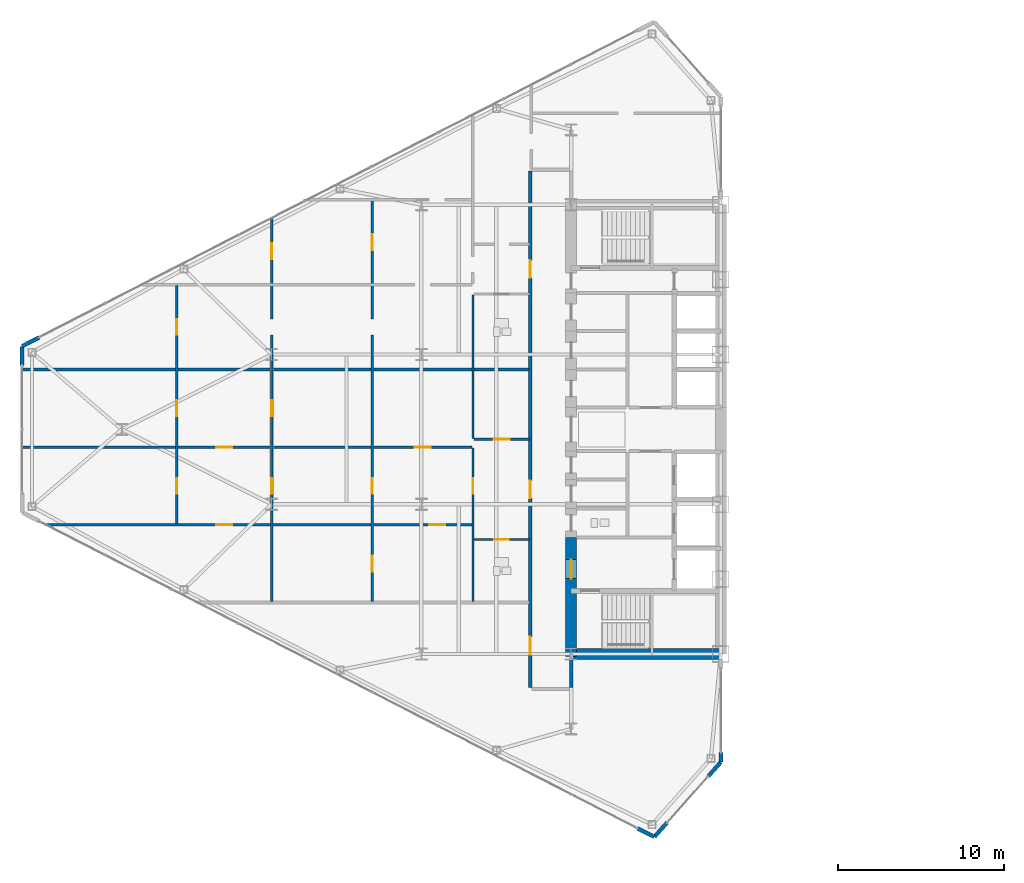
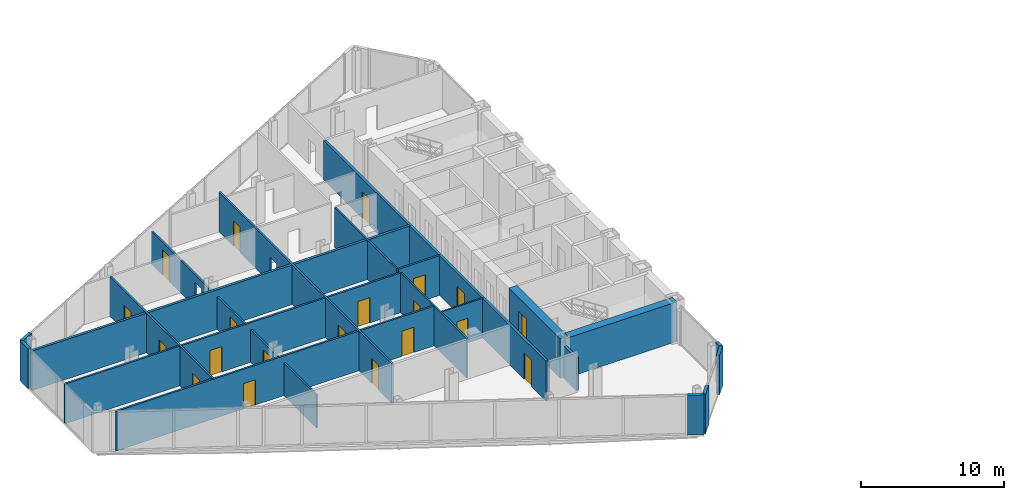
# One storey, part 16 of 24: 20 doors, 20 walls, 22 openings.
"""IFC4 building model written with IfcOpenShell, lengths in metres."""

from ifc_helpers import new_model, si_unit, direction, frame, frame_2d, origin, place, context, subcontext, project, spatial, rectangle, extrude, source, transform, mapped, material, layer, layer_set, type_object, type_shapes, element, fill, save


model = new_model("IFC4")

# Units and contexts
model_context = context("Model", 3, precision=1e-05, world=origin(), true_north=direction((0.0, 1.0)))
body_context = subcontext(model_context, "Body", "Model", "MODEL_VIEW")
ifc_project = project(units=[si_unit("LENGTHUNIT", "METRE"), si_unit("AREAUNIT", "SQUARE_METRE"), si_unit("VOLUMEUNIT", "CUBIC_METRE"), si_unit("PLANEANGLEUNIT", "RADIAN"), si_unit("MASSUNIT", "GRAM", prefix="KILO")], contexts=[model_context])

# Site, building, storey
site_placement = place(None, origin())
site = spatial("IfcSite", under=ifc_project, at=site_placement, CompositionType="ELEMENT")
building_placement = place(site_placement, origin())
building = spatial("IfcBuilding", under=site, at=building_placement, Name="Seokmaru Belvedere", CompositionType="ELEMENT")
storey_placement = place(building_placement, frame((0.0, 0.0, 124.800048828125)))
storey = spatial("IfcBuildingStorey", under=building, at=storey_placement, Name="L33", CompositionType="ELEMENT", Elevation=124.800048828125)

# Wall, openings, doors
ifc_material_1 = material(Name="Fire-Rated Gypsum Shaftwall")
ifc_layer_1 = layer(ifc_material_1, 0.14990234375)
ifc_layer_set_1 = layer_set([ifc_layer_1], Name="Fire-Rated Gypsum Shaftwall")
wall_type_1 = type_object("IfcWallType", Name="Apartment Fire-Acoustic Room Partition 150", PredefinedType="PARTITIONING", material=ifc_layer_set_1)
wall_1_placement = place(storey_placement, frame((-68.10595703125, -5.72998046875, 0.0), z_axis=(0.0, 0.0, 1.0), x_axis=(1.0, 0.0, 0.0)))
wall_1 = element("IfcWall", 1, at=wall_1_placement, inside=storey, type_object=wall_type_1, Name="L33 Interior Partition 010", PredefinedType="PARTITIONING", context=body_context, shape_type="SweptSolid", body=[
    extrude(rectangle(XDim=25.656005859375, YDim=0.14990234375, at=frame_2d((12.828125, 0.0))), origin(), (0.0, 0.0, 1.0), 3.3798828125),
])
opening_1_placement = place(wall_1_placement, frame((23.079345703125, 0.0, 0.0)))
opening_1 = element("IfcOpeningElement", 2, at=opening_1_placement, cuts=wall_1, Name="Opening D05", PredefinedType="OPENING", context=body_context, shape_type="SweptSolid", body=[
    extrude(rectangle(XDim=0.949951171875, YDim=2.14990234375, at=frame_2d((0.47509765625, 1.074951171875))), frame((0.0, 0.0849609375, 0.0), z_axis=(0.0, -1.0, 0.0), x_axis=(1.0, 0.0, 0.0)), (0.0, 0.0, 1.0), 0.169921875),
])
opening_2_placement = place(wall_1_placement, frame((10.281005859375, 0.0, 0.0)))
opening_2 = element("IfcOpeningElement", 3, at=opening_2_placement, cuts=wall_1, Name="Opening D05", PredefinedType="OPENING", context=body_context, shape_type="SweptSolid", body=[
    extrude(rectangle(XDim=0.949951171875, YDim=2.14990234375, at=frame_2d((0.47509765625, 1.074951171875))), frame((0.0, 0.0849609375, 0.0), z_axis=(0.0, -1.0, 0.0), x_axis=(1.0, 0.0, 0.0)), (0.0, 0.0, 1.0), 0.169921875),
])
ifc_material_2 = material(Name="Engineered White Oak Timber", Category="wood")
door_type_1 = type_object("IfcDoorType", Name="Apartment Interior Fire-Rated Oak Door 950x2150", OperationType="NOTDEFINED", PredefinedType="DOOR", material=ifc_material_2)
shared_shape_1 = source(origin(), body_context, "Body", "SweptSolid", [
    extrude(rectangle(XDim=0.949951171875, YDim=2.14990234375, at=frame_2d((0.47509765625, 1.074951171875))), frame((0.0, 0.02490234375, 0.0), z_axis=(0.0, -1.0, 0.0), x_axis=(1.0, 0.0, 0.0)), (0.0, 0.0, 1.0), 0.050048828125),
])
type_shapes(door_type_1, [shared_shape_1])
door_1_placement = place(opening_1_placement, origin())
door_1 = element("IfcDoor", 4, at=door_1_placement, inside=storey, type_object=door_type_1, Name="L33 Interior Door 006", OperationType="SINGLE_SWING_RIGHT", OverallHeight=2.14990234375, OverallWidth=0.949951171875, PredefinedType="DOOR", context=body_context, shape_type="MappedRepresentation", body=[
    mapped(shared_shape_1, transform((0.0, 0.0, 0.0), scale=1.0)),
])
fill(opening_1, door_1)
door_2_placement = place(opening_2_placement, origin())
door_2 = element("IfcDoor", 5, at=door_2_placement, inside=storey, type_object=door_type_1, Name="L33 Interior Door 010", OperationType="SINGLE_SWING_LEFT", OverallHeight=2.14990234375, OverallWidth=0.949951171875, PredefinedType="DOOR", context=body_context, shape_type="MappedRepresentation", body=[
    mapped(shared_shape_1, transform((0.0, 0.0, 0.0), scale=1.0)),
])
fill(opening_2, door_2)

wall_2_placement = place(storey_placement, frame((-69.534912109375, -1.070068359375, 0.0), z_axis=(0.0, 0.0, 1.0), x_axis=(1.0, 0.0, 0.0)))
wall_2 = element("IfcWall", 6, at=wall_2_placement, inside=storey, type_object=wall_type_1, Name="L33 Interior Partition 012", PredefinedType="PARTITIONING", context=body_context, shape_type="SweptSolid", body=[
    extrude(rectangle(XDim=27.0849609375, YDim=0.14990234375, at=frame_2d((13.54248046875, 0.0))), origin(), (0.0, 0.0, 1.0), 3.3798828125),
])
opening_3_placement = place(wall_2_placement, frame((23.635009765625, 0.0, 0.0)))
opening_3 = element("IfcOpeningElement", 7, at=opening_3_placement, cuts=wall_2, Name="Opening D05", PredefinedType="OPENING", context=body_context, shape_type="SweptSolid", body=[
    extrude(rectangle(XDim=0.949951171875, YDim=2.14990234375, at=frame_2d((0.47509765625, 1.074951171875))), frame((0.0, 0.0849609375, 0.0), z_axis=(0.0, -1.0, 0.0), x_axis=(1.0, 0.0, 0.0)), (0.0, 0.0, 1.0), 0.169921875),
])
opening_4_placement = place(wall_2_placement, frame((11.7099609375, 0.0, 0.0)))
opening_4 = element("IfcOpeningElement", 8, at=opening_4_placement, cuts=wall_2, Name="Opening D05", PredefinedType="OPENING", context=body_context, shape_type="SweptSolid", body=[
    extrude(rectangle(XDim=0.949951171875, YDim=2.14990234375, at=frame_2d((0.47509765625, 1.074951171875))), frame((0.0, 0.0849609375, 0.0), z_axis=(0.0, -1.0, 0.0), x_axis=(1.0, 0.0, 0.0)), (0.0, 0.0, 1.0), 0.169921875),
])
door_3_placement = place(opening_3_placement, origin())
door_3 = element("IfcDoor", 9, at=door_3_placement, inside=storey, type_object=door_type_1, Name="L33 Interior Door 008", OperationType="SINGLE_SWING_LEFT", OverallHeight=2.14990234375, OverallWidth=0.949951171875, PredefinedType="DOOR", context=body_context, shape_type="MappedRepresentation", body=[
    mapped(shared_shape_1, transform((0.0, 0.0, 0.0), scale=1.0)),
])
fill(opening_3, door_3)
door_4_placement = place(opening_4_placement, origin())
door_4 = element("IfcDoor", 10, at=door_4_placement, inside=storey, type_object=door_type_1, Name="L33 Interior Door 012", OperationType="SINGLE_SWING_LEFT", OverallHeight=2.14990234375, OverallWidth=0.949951171875, PredefinedType="DOOR", context=body_context, shape_type="MappedRepresentation", body=[
    mapped(shared_shape_1, transform((0.0, 0.0, 0.0), scale=1.0)),
])
fill(opening_4, door_4)

# Wall, opening, door
wall_3_placement = place(storey_placement, frame((-42.35009765625, -0.60009765625, 0.0), z_axis=(0.0, 0.0, 1.0), x_axis=(1.0, 0.0, 0.0)))
wall_3 = element("IfcWall", 11, at=wall_3_placement, inside=storey, type_object=wall_type_1, Name="L33 Interior Partition 013", PredefinedType="PARTITIONING", context=body_context, shape_type="SweptSolid", body=[
    extrude(rectangle(XDim=3.35009765625, YDim=0.14990234375, at=frame_2d((1.675048828125, 0.0))), origin(), (0.0, 0.0, 1.0), 3.3798828125),
])
opening_5_placement = place(wall_3_placement, frame((1.199951171875, 0.0, 0.0)))
opening_5 = element("IfcOpeningElement", 12, at=opening_5_placement, cuts=wall_3, Name="Opening D05", PredefinedType="OPENING", context=body_context, shape_type="SweptSolid", body=[
    extrude(rectangle(XDim=0.949951171875, YDim=2.14990234375, at=frame_2d((0.47509765625, 1.074951171875))), frame((0.0, 0.0849609375, 0.0), z_axis=(0.0, -1.0, 0.0), x_axis=(1.0, 0.0, 0.0)), (0.0, 0.0, 1.0), 0.169921875),
])
door_5_placement = place(opening_5_placement, origin())
door_5 = element("IfcDoor", 13, at=door_5_placement, inside=storey, type_object=door_type_1, Name="L33 Interior Door 004", OperationType="SINGLE_SWING_LEFT", OverallHeight=2.14990234375, OverallWidth=0.949951171875, PredefinedType="DOOR", context=body_context, shape_type="MappedRepresentation", body=[
    mapped(shared_shape_1, transform((0.0, 0.0, 0.0), scale=1.0)),
])
fill(opening_5, door_5)

# Wall, openings, doors
wall_4_placement = place(storey_placement, frame((-60.199951171875, -5.68310546875, 0.0), z_axis=(0.0, 0.0, 1.0), x_axis=(0.0, 1.0, 0.0)))
wall_4 = element("IfcWall", 14, at=wall_4_placement, inside=storey, type_object=wall_type_1, Name="L33 Interior Partition 027", PredefinedType="PARTITIONING", context=body_context, shape_type="SweptSolid", body=[
    extrude(rectangle(XDim=14.335205078125, YDim=0.14990234375, at=frame_2d((7.16748046875, 0.0))), origin(), (0.0, 0.0, 1.0), 3.3798828125),
])
opening_6_placement = place(wall_4_placement, frame((1.80810546875, 0.0, 0.0)))
opening_6 = element("IfcOpeningElement", 15, at=opening_6_placement, cuts=wall_4, Name="Opening D05", PredefinedType="OPENING", context=body_context, shape_type="SweptSolid", body=[
    extrude(rectangle(XDim=0.949951171875, YDim=2.14990234375, at=frame_2d((0.47509765625, 1.074951171875))), frame((0.0, 0.0849609375, 0.0), z_axis=(0.0, -1.0, 0.0), x_axis=(1.0, 0.0, 0.0)), (0.0, 0.0, 1.0), 0.169921875),
])
opening_7_placement = place(wall_4_placement, frame((6.474609375, 0.0, 0.0)))
opening_7 = element("IfcOpeningElement", 16, at=opening_7_placement, cuts=wall_4, Name="Opening D05", PredefinedType="OPENING", context=body_context, shape_type="SweptSolid", body=[
    extrude(rectangle(XDim=0.949951171875, YDim=2.14990234375, at=frame_2d((0.47509765625, 1.074951171875))), frame((0.0, 0.0849609375, 0.0), z_axis=(0.0, -1.0, 0.0), x_axis=(1.0, 0.0, 0.0)), (0.0, 0.0, 1.0), 0.169921875),
])
opening_8_placement = place(wall_4_placement, frame((11.359130859375, 0.0, 0.0)))
opening_8 = element("IfcOpeningElement", 17, at=opening_8_placement, cuts=wall_4, Name="Opening D05", PredefinedType="OPENING", context=body_context, shape_type="SweptSolid", body=[
    extrude(rectangle(XDim=0.949951171875, YDim=2.14990234375, at=frame_2d((0.47509765625, 1.074951171875))), frame((0.0, 0.0849609375, 0.0), z_axis=(0.0, -1.0, 0.0), x_axis=(1.0, 0.0, 0.0)), (0.0, 0.0, 1.0), 0.169921875),
])
door_6_placement = place(opening_6_placement, origin())
door_6 = element("IfcDoor", 18, at=door_6_placement, inside=storey, type_object=door_type_1, Name="L33 Interior Door 011", OperationType="SINGLE_SWING_RIGHT", OverallHeight=2.14990234375, OverallWidth=0.949951171875, PredefinedType="DOOR", context=body_context, shape_type="MappedRepresentation", body=[
    mapped(shared_shape_1, transform((0.0, 0.0, 0.0), scale=1.0)),
])
fill(opening_6, door_6)
door_7_placement = place(opening_7_placement, origin())
door_7 = element("IfcDoor", 19, at=door_7_placement, inside=storey, type_object=door_type_1, Name="L33 Interior Door 013", OperationType="SINGLE_SWING_RIGHT", OverallHeight=2.14990234375, OverallWidth=0.949951171875, PredefinedType="DOOR", context=body_context, shape_type="MappedRepresentation", body=[
    mapped(shared_shape_1, transform((0.0, 0.0, 0.0), scale=1.0)),
])
fill(opening_7, door_7)
door_8_placement = place(opening_8_placement, origin())
door_8 = element("IfcDoor", 20, at=door_8_placement, inside=storey, type_object=door_type_1, Name="L33 Interior Door 026", OperationType="SINGLE_SWING_RIGHT", OverallHeight=2.14990234375, OverallWidth=0.949951171875, PredefinedType="DOOR", context=body_context, shape_type="MappedRepresentation", body=[
    mapped(shared_shape_1, transform((0.0, 0.0, 0.0), scale=1.0)),
])
fill(opening_8, door_8)

wall_5_placement = place(storey_placement, frame((-54.5, -10.35009765625, 0.0), z_axis=(0.0, 0.0, 1.0), x_axis=(0.0, 1.0, 0.0)))
wall_5 = element("IfcWall", 21, at=wall_5_placement, inside=storey, type_object=wall_type_1, Name="L33 Interior Partition 028", PredefinedType="PARTITIONING", context=body_context, shape_type="SweptSolid", body=[
    extrude(rectangle(XDim=23.08203125, YDim=0.14990234375, at=frame_2d((11.541015625, 0.0))), origin(), (0.0, 0.0, 1.0), 2.780029296875),
])
opening_9_placement = place(wall_5_placement, frame((6.47509765625, 0.0, 0.0)))
opening_9 = element("IfcOpeningElement", 22, at=opening_9_placement, cuts=wall_5, Name="Opening D05", PredefinedType="OPENING", context=body_context, shape_type="SweptSolid", body=[
    extrude(rectangle(XDim=0.949951171875, YDim=2.14990234375, at=frame_2d((0.47509765625, 1.074951171875))), frame((0.0, 0.0849609375, 0.0), z_axis=(0.0, -1.0, 0.0), x_axis=(1.0, 0.0, 0.0)), (0.0, 0.0, 1.0), 0.169921875),
])
opening_10_placement = place(wall_5_placement, frame((11.1416015625, 0.0, 0.0)))
opening_10 = element("IfcOpeningElement", 23, at=opening_10_placement, cuts=wall_5, Name="Opening D05", PredefinedType="OPENING", context=body_context, shape_type="SweptSolid", body=[
    extrude(rectangle(XDim=0.949951171875, YDim=2.14990234375, at=frame_2d((0.47509765625, 1.074951171875))), frame((0.0, 0.0849609375, 0.0), z_axis=(0.0, -1.0, 0.0), x_axis=(1.0, 0.0, 0.0)), (0.0, 0.0, 1.0), 0.169921875),
])
opening_11_placement = place(wall_5_placement, frame((20.57470703125, 0.0, 0.0)))
opening_11 = element("IfcOpeningElement", 24, at=opening_11_placement, cuts=wall_5, Name="Opening D05", PredefinedType="OPENING", context=body_context, shape_type="SweptSolid", body=[
    extrude(rectangle(XDim=0.949951171875, YDim=2.14990234375, at=frame_2d((0.47509765625, 1.074951171875))), frame((0.0, 0.0849609375, 0.0), z_axis=(0.0, -1.0, 0.0), x_axis=(1.0, 0.0, 0.0)), (0.0, 0.0, 1.0), 0.169921875),
])
opening_12_placement = place(wall_5_placement, frame((16.026123046875, 0.0, 0.0)))
element("IfcOpeningElement", 25, at=opening_12_placement, cuts=wall_5, Name="L33 Cased Opening 025", PredefinedType="OPENING", context=body_context, shape_type="SweptSolid", body=[
    extrude(rectangle(XDim=0.949951171875, YDim=2.14990234375, at=frame_2d((0.47509765625, 1.074951171875))), frame((0.0, 0.0849609375, 0.0), z_axis=(0.0, -1.0, 0.0), x_axis=(1.0, 0.0, 0.0)), (0.0, 0.0, 1.0), 0.169921875),
])
door_9_placement = place(opening_9_placement, origin())
door_9 = element("IfcDoor", 26, at=door_9_placement, inside=storey, type_object=door_type_1, Name="L33 Interior Door 009", OperationType="SINGLE_SWING_RIGHT", OverallHeight=2.14990234375, OverallWidth=0.949951171875, PredefinedType="DOOR", context=body_context, shape_type="MappedRepresentation", body=[
    mapped(shared_shape_1, transform((0.0, 0.0, 0.0), scale=1.0)),
])
fill(opening_9, door_9)
door_10_placement = place(opening_10_placement, origin())
door_10 = element("IfcDoor", 27, at=door_10_placement, inside=storey, type_object=door_type_1, Name="L33 Interior Door 015", OperationType="SINGLE_SWING_LEFT", OverallHeight=2.14990234375, OverallWidth=0.949951171875, PredefinedType="DOOR", context=body_context, shape_type="MappedRepresentation", body=[
    mapped(shared_shape_1, transform((0.0, 0.0, 0.0), scale=1.0)),
])
fill(opening_10, door_10)
door_11_placement = place(opening_11_placement, origin())
door_11 = element("IfcDoor", 28, at=door_11_placement, inside=storey, type_object=door_type_1, Name="L33 Interior Door 023", OperationType="SINGLE_SWING_RIGHT", OverallHeight=2.14990234375, OverallWidth=0.949951171875, PredefinedType="DOOR", context=body_context, shape_type="MappedRepresentation", body=[
    mapped(shared_shape_1, transform((0.0, 0.0, 0.0), scale=1.0)),
])
fill(opening_11, door_11)

wall_6_placement = place(storey_placement, frame((-48.449951171875, -10.35009765625, 0.0), z_axis=(0.0, 0.0, 1.0), x_axis=(0.0, 1.0, 0.0)))
wall_6 = element("IfcWall", 29, at=wall_6_placement, inside=storey, type_object=wall_type_1, Name="L33 Interior Partition 029", PredefinedType="PARTITIONING", context=body_context, shape_type="SweptSolid", body=[
    extrude(rectangle(XDim=24.10400390625, YDim=0.14990234375, at=frame_2d((12.052001953125, 0.0))), origin(), (0.0, 0.0, 1.0), 3.3798828125),
])
opening_13_placement = place(wall_6_placement, frame((6.47509765625, 0.0, 0.0)))
opening_13 = element("IfcOpeningElement", 30, at=opening_13_placement, cuts=wall_6, Name="Opening D05", PredefinedType="OPENING", context=body_context, shape_type="SweptSolid", body=[
    extrude(rectangle(XDim=0.949951171875, YDim=2.14990234375, at=frame_2d((0.47509765625, 1.074951171875))), frame((0.0, 0.0849609375, 0.0), z_axis=(0.0, -1.0, 0.0), x_axis=(1.0, 0.0, 0.0)), (0.0, 0.0, 1.0), 0.169921875),
])
opening_14_placement = place(wall_6_placement, frame((1.808349609375, 0.0, 0.0)))
opening_14 = element("IfcOpeningElement", 31, at=opening_14_placement, cuts=wall_6, Name="Opening D05", PredefinedType="OPENING", context=body_context, shape_type="SweptSolid", body=[
    extrude(rectangle(XDim=0.949951171875, YDim=2.14990234375, at=frame_2d((0.47509765625, 1.074951171875))), frame((0.0, 0.0849609375, 0.0), z_axis=(0.0, -1.0, 0.0), x_axis=(1.0, 0.0, 0.0)), (0.0, 0.0, 1.0), 0.169921875),
])
opening_15_placement = place(wall_6_placement, frame((21.12841796875, 0.0, 0.0)))
opening_15 = element("IfcOpeningElement", 32, at=opening_15_placement, cuts=wall_6, Name="Opening D05", PredefinedType="OPENING", context=body_context, shape_type="SweptSolid", body=[
    extrude(rectangle(XDim=0.949951171875, YDim=2.14990234375, at=frame_2d((0.47509765625, 1.074951171875))), frame((0.0, 0.0849609375, 0.0), z_axis=(0.0, -1.0, 0.0), x_axis=(1.0, 0.0, 0.0)), (0.0, 0.0, 1.0), 0.169921875),
])
opening_16_placement = place(wall_6_placement, frame((16.026123046875, 0.0, 0.0)))
element("IfcOpeningElement", 33, at=opening_16_placement, cuts=wall_6, Name="L33 Cased Opening 024", PredefinedType="OPENING", context=body_context, shape_type="SweptSolid", body=[
    extrude(rectangle(XDim=0.949951171875, YDim=2.14990234375, at=frame_2d((0.47509765625, 1.074951171875))), frame((0.0, 0.0849609375, 0.0), z_axis=(0.0, -1.0, 0.0), x_axis=(1.0, 0.0, 0.0)), (0.0, 0.0, 1.0), 0.169921875),
])
door_12_placement = place(opening_13_placement, origin())
door_12 = element("IfcDoor", 34, at=door_12_placement, inside=storey, type_object=door_type_1, Name="L33 Interior Door 007", OperationType="SINGLE_SWING_LEFT", OverallHeight=2.14990234375, OverallWidth=0.949951171875, PredefinedType="DOOR", context=body_context, shape_type="MappedRepresentation", body=[
    mapped(shared_shape_1, transform((0.0, 0.0, 0.0), scale=1.0)),
])
fill(opening_13, door_12)
door_13_placement = place(opening_14_placement, origin())
door_13 = element("IfcDoor", 35, at=door_13_placement, inside=storey, type_object=door_type_1, Name="L33 Interior Door 014", OperationType="SINGLE_SWING_RIGHT", OverallHeight=2.14990234375, OverallWidth=0.949951171875, PredefinedType="DOOR", context=body_context, shape_type="MappedRepresentation", body=[
    mapped(shared_shape_1, transform((0.0, 0.0, 0.0), scale=1.0)),
])
fill(opening_14, door_13)
door_14_placement = place(opening_15_placement, origin())
door_14 = element("IfcDoor", 36, at=door_14_placement, inside=storey, type_object=door_type_1, Name="L33 Interior Door 021", OperationType="SINGLE_SWING_LEFT", OverallHeight=2.14990234375, OverallWidth=0.949951171875, PredefinedType="DOOR", context=body_context, shape_type="MappedRepresentation", body=[
    mapped(shared_shape_1, transform((0.0, 0.0, 0.0), scale=1.0)),
])
fill(opening_15, door_14)

# Wall
ifc_layer_2 = layer(ifc_material_1, 0.199951171875)
ifc_layer_set_2 = layer_set([ifc_layer_2], Name="Fire-Rated Gypsum Shaftwall")
wall_type_2 = type_object("IfcWallType", Name="Inter-Tenancy Fire Compartment Partition 200", PredefinedType="PARTITIONING", material=ifc_layer_set_2)
wall_7_placement = place(storey_placement, frame((-69.5048828125, 3.60009765625, 0.0), z_axis=(0.0, 0.0, 1.0), x_axis=(1.0, 0.0, 0.0)))
element("IfcWall", 37, at=wall_7_placement, inside=storey, type_object=wall_type_2, Name="L33 Interior Partition 016", PredefinedType="PARTITIONING", context=body_context, shape_type="SweptSolid", body=[
    extrude(rectangle(XDim=30.474853515625, YDim=0.199951171875, at=frame_2d((15.2373046875, 0.0))), origin(), (0.0, 0.0, 1.0), 3.3798828125),
])

# Wall, openings, doors
wall_8_placement = place(storey_placement, frame((-38.949951171875, -15.514892578125, 0.0), z_axis=(0.0, 0.0, 1.0), x_axis=(0.0, 1.0, 0.0)))
wall_8 = element("IfcWall", 38, at=wall_8_placement, inside=storey, type_object=wall_type_2, Name="L33 Interior Partition 033", PredefinedType="PARTITIONING", context=body_context, shape_type="SweptSolid", body=[
    extrude(rectangle(XDim=31.02978515625, YDim=0.199951171875, at=frame_2d((15.514892578125, 0.0))), origin(), (0.0, 0.0, 1.0), 3.3798828125),
])
opening_17_placement = place(wall_8_placement, frame((1.989990234375, 0.0, 0.0)))
opening_17 = element("IfcOpeningElement", 39, at=opening_17_placement, cuts=wall_8, Name="Opening D03", PredefinedType="OPENING", context=body_context, shape_type="SweptSolid", body=[
    extrude(rectangle(XDim=1.050048828125, YDim=2.25, at=frame_2d((0.52490234375, 1.125))), frame((0.0, 0.10986328125, 0.0), z_axis=(0.0, -1.0, 0.0), x_axis=(1.0, 0.0, 0.0)), (0.0, 0.0, 1.0), 0.219970703125),
])
opening_18_placement = place(wall_8_placement, frame((11.3798828125, 0.0, 0.0)))
opening_18 = element("IfcOpeningElement", 40, at=opening_18_placement, cuts=wall_8, Name="Opening D03", PredefinedType="OPENING", context=body_context, shape_type="SweptSolid", body=[
    extrude(rectangle(XDim=1.050048828125, YDim=2.25, at=frame_2d((0.52490234375, 1.125))), frame((0.0, 0.10986328125, 0.0), z_axis=(0.0, -1.0, 0.0), x_axis=(1.0, 0.0, 0.0)), (0.0, 0.0, 1.0), 0.219970703125),
])
opening_19_placement = place(wall_8_placement, frame((24.617431640625, 0.0, 0.0)))
opening_19 = element("IfcOpeningElement", 41, at=opening_19_placement, cuts=wall_8, Name="Opening D03", PredefinedType="OPENING", context=body_context, shape_type="SweptSolid", body=[
    extrude(rectangle(XDim=1.050048828125, YDim=2.25, at=frame_2d((0.52490234375, 1.125))), frame((0.0, 0.10986328125, 0.0), z_axis=(0.0, -1.0, 0.0), x_axis=(1.0, 0.0, 0.0)), (0.0, 0.0, 1.0), 0.219970703125),
])
ifc_material_3 = material(Name="Fire-Rated Steel Leaf", Category="steel")
door_type_2 = type_object("IfcDoorType", Name="Apartment Entrance Fire Door 1050x2250", OperationType="NOTDEFINED", PredefinedType="DOOR", material=ifc_material_3)
shared_shape_2 = source(origin(), body_context, "Body", "SweptSolid", [
    extrude(rectangle(XDim=1.050048828125, YDim=2.25, at=frame_2d((0.52490234375, 1.125))), frame((0.0, 0.02490234375, 0.0), z_axis=(0.0, -1.0, 0.0), x_axis=(1.0, 0.0, 0.0)), (0.0, 0.0, 1.0), 0.050048828125),
])
type_shapes(door_type_2, [shared_shape_2])
door_15_placement = place(opening_17_placement, origin())
door_15 = element("IfcDoor", 42, at=door_15_placement, inside=storey, type_object=door_type_2, Name="L33 Interior Door 001", OperationType="SINGLE_SWING_RIGHT", OverallHeight=2.25, OverallWidth=1.050048828125, PredefinedType="DOOR", context=body_context, shape_type="MappedRepresentation", body=[
    mapped(shared_shape_2, transform((0.0, 0.0, 0.0), scale=1.0)),
])
fill(opening_17, door_15)
door_16_placement = place(opening_18_placement, origin())
door_16 = element("IfcDoor", 43, at=door_16_placement, inside=storey, type_object=door_type_2, Name="L33 Interior Door 002", OperationType="SINGLE_SWING_LEFT", OverallHeight=2.25, OverallWidth=1.050048828125, PredefinedType="DOOR", context=body_context, shape_type="MappedRepresentation", body=[
    mapped(shared_shape_2, transform((0.0, 0.0, 0.0), scale=1.0)),
])
fill(opening_18, door_16)
door_17_placement = place(opening_19_placement, origin())
door_17 = element("IfcDoor", 44, at=door_17_placement, inside=storey, type_object=door_type_2, Name="L33 Interior Door 016", OperationType="SINGLE_SWING_RIGHT", OverallHeight=2.25, OverallWidth=1.050048828125, PredefinedType="DOOR", context=body_context, shape_type="MappedRepresentation", body=[
    mapped(shared_shape_2, transform((0.0, 0.0, 0.0), scale=1.0)),
])
fill(opening_19, door_17)

# Walls
wall_9_placement = place(storey_placement, frame((-36.5, -15.514892578125, 0.0), z_axis=(0.0, 0.0, 1.0), x_axis=(0.0, 1.0, 0.0)))
element("IfcWall", 45, at=wall_9_placement, inside=storey, type_object=wall_type_2, Name="L33 Interior Partition 035", PredefinedType="PARTITIONING", context=body_context, shape_type="SweptSolid", body=[
    extrude(rectangle(XDim=1.684814453125, YDim=0.199951171875, at=frame_2d((0.84228515625, 0.0))), origin(), (0.0, 0.0, 1.0), 2.780029296875),
])
ifc_material_4 = material(Name="Concrete C60 (60 MPa)", Category="concrete")
ifc_layer_3 = layer(ifc_material_4, 0.64990234375)
ifc_layer_set_3 = layer_set([ifc_layer_3], Name="Concrete C60 (60 MPa)")
wall_type_3 = type_object("IfcWallType", Name="Mid-Low Reinforced Concrete Core Wall 650", PredefinedType="SHEAR", material=ifc_layer_set_3)
wall_10_placement = place(storey_placement, frame((-36.5, -13.5, 0.0), z_axis=(0.0, 0.0, 1.0), x_axis=(1.0, 0.0, 0.0)))
element("IfcWall", 46, at=wall_10_placement, inside=storey, type_object=wall_type_3, Name="L33 West South Core Wall", PredefinedType="SHEAR", context=body_context, shape_type="SweptSolid", body=[
    extrude(rectangle(XDim=9.0, YDim=0.64990234375, at=frame_2d((4.5, 0.0))), origin(), (0.0, 0.0, 1.0), 3.3798828125),
])

# Wall, opening, door
wall_11_placement = place(storey_placement, frame((-36.5, -13.64990234375, 0.0), z_axis=(0.0, 0.0, 1.0), x_axis=(0.0, 1.0, 0.0)))
wall_11 = element("IfcWall", 47, at=wall_11_placement, inside=storey, type_object=wall_type_3, Name="L33 West West Core Wall FF", PredefinedType="SHEAR", context=body_context, shape_type="SweptSolid", body=[
    extrude(rectangle(XDim=7.14990234375, YDim=0.64990234375, at=frame_2d((3.574951171875, 0.0))), origin(), (0.0, 0.0, 1.0), 3.3798828125),
])
opening_20_placement = place(wall_11_placement, frame((4.675048828125, 0.0, 0.0)))
opening_20 = element("IfcOpeningElement", 48, at=opening_20_placement, cuts=wall_11, Name="Opening D02", PredefinedType="OPENING", context=body_context, shape_type="SweptSolid", body=[
    extrude(rectangle(XDim=1.14990234375, YDim=2.199951171875, at=frame_2d((0.574951171875, 1.10009765625))), frame((0.0, 0.3349609375, 0.0), z_axis=(0.0, -1.0, 0.0), x_axis=(1.0, 0.0, 0.0)), (0.0, 0.0, 1.0), 0.669921875),
])
door_type_3 = type_object("IfcDoorType", Name="Lobby and Vestibule Fire Door 1150x2200", OperationType="NOTDEFINED", PredefinedType="DOOR", material=ifc_material_3)
shared_shape_3 = source(origin(), body_context, "Body", "SweptSolid", [
    extrude(rectangle(XDim=1.14990234375, YDim=2.199951171875, at=frame_2d((0.574951171875, 1.10009765625))), frame((0.0, 0.02490234375, 0.0), z_axis=(0.0, -1.0, 0.0), x_axis=(1.0, 0.0, 0.0)), (0.0, 0.0, 1.0), 0.050048828125),
])
type_shapes(door_type_3, [shared_shape_3])
door_18_placement = place(opening_20_placement, frame((1.14990234375, 0.0, 0.0), z_axis=(0.0, 0.0, 1.0), x_axis=(-1.0, 0.0, 0.0)))
door_18 = element("IfcDoor", 49, at=door_18_placement, inside=storey, type_object=door_type_3, Name="L33 West Firefighting Lobby Door", OperationType="SINGLE_SWING_LEFT", OverallHeight=2.199951171875, OverallWidth=1.14990234375, PredefinedType="DOOR", context=body_context, shape_type="MappedRepresentation", body=[
    mapped(shared_shape_3, transform((0.0, 0.0, 0.0), scale=1.0)),
])
fill(opening_20, door_18)

ifc_layer_4 = layer(ifc_material_1, 0.1298828125)
ifc_layer_set_4 = layer_set([ifc_layer_4], Name="Fire-Rated Gypsum Shaftwall")
wall_type_4 = type_object("IfcWallType", Name="Moisture-Resistant Fire-Rated Bathroom Partition 130", PredefinedType="PARTITIONING", material=ifc_layer_set_4)
wall_12_placement = place(storey_placement, frame((-42.35009765625, -6.6201171875, 0.0), z_axis=(0.0, 0.0, 1.0), x_axis=(1.0, 0.0, 0.0)))
wall_12 = element("IfcWall", 50, at=wall_12_placement, inside=storey, type_object=wall_type_4, Name="L33 Interior Partition 009", PredefinedType="PARTITIONING", context=body_context, shape_type="SweptSolid", body=[
    extrude(rectangle(XDim=3.35009765625, YDim=0.1298828125, at=frame_2d((1.675048828125, 0.0))), origin(), (0.0, 0.0, 1.0), 3.3798828125),
])
opening_21_placement = place(wall_12_placement, frame((1.235107421875, 0.0, 0.0)))
opening_21 = element("IfcOpeningElement", 51, at=opening_21_placement, cuts=wall_12, Name="Opening D06", PredefinedType="OPENING", context=body_context, shape_type="SweptSolid", body=[
    extrude(rectangle(XDim=0.8798828125, YDim=2.10009765625, at=frame_2d((0.43994140625, 1.050048828125))), frame((0.0, 0.074951171875, 0.0), z_axis=(0.0, -1.0, 0.0), x_axis=(1.0, 0.0, 0.0)), (0.0, 0.0, 1.0), 0.14990234375),
])
door_type_4 = type_object("IfcDoorType", Name="Bathroom and Restroom Fire-Rated Door 880x2100", OperationType="NOTDEFINED", PredefinedType="DOOR", material=ifc_material_2)
shared_shape_4 = source(origin(), body_context, "Body", "SweptSolid", [
    extrude(rectangle(XDim=0.8798828125, YDim=2.10009765625, at=frame_2d((0.43994140625, 1.050048828125))), frame((0.0, 0.02490234375, 0.0), z_axis=(0.0, -1.0, 0.0), x_axis=(1.0, 0.0, 0.0)), (0.0, 0.0, 1.0), 0.050048828125),
])
type_shapes(door_type_4, [shared_shape_4])
door_19_placement = place(opening_21_placement, origin())
door_19 = element("IfcDoor", 52, at=door_19_placement, inside=storey, type_object=door_type_4, Name="L33 Interior Door 003", OperationType="SINGLE_SWING_LEFT", OverallHeight=2.10009765625, OverallWidth=0.8798828125, PredefinedType="DOOR", context=body_context, shape_type="MappedRepresentation", body=[
    mapped(shared_shape_4, transform((0.0, 0.0, 0.0), scale=1.0)),
])
fill(opening_21, door_19)

wall_13_placement = place(storey_placement, frame((-42.39990234375, -10.35009765625, 0.0), z_axis=(0.0, 0.0, 1.0), x_axis=(0.0, 1.0, 0.0)))
wall_13 = element("IfcWall", 53, at=wall_13_placement, inside=storey, type_object=wall_type_4, Name="L33 Interior Partition 030", PredefinedType="PARTITIONING", context=body_context, shape_type="SweptSolid", body=[
    extrude(rectangle(XDim=9.233154296875, YDim=0.1298828125, at=frame_2d((4.61669921875, 0.0))), origin(), (0.0, 0.0, 1.0), 3.3798828125),
])
opening_22_placement = place(wall_13_placement, frame((6.47509765625, 0.0, 0.0)))
opening_22 = element("IfcOpeningElement", 54, at=opening_22_placement, cuts=wall_13, Name="Opening D05", PredefinedType="OPENING", context=body_context, shape_type="SweptSolid", body=[
    extrude(rectangle(XDim=0.949951171875, YDim=2.14990234375, at=frame_2d((0.47509765625, 1.074951171875))), frame((0.0, 0.074951171875, 0.0), z_axis=(0.0, -1.0, 0.0), x_axis=(1.0, 0.0, 0.0)), (0.0, 0.0, 1.0), 0.14990234375),
])
door_20_placement = place(opening_22_placement, origin())
door_20 = element("IfcDoor", 55, at=door_20_placement, inside=storey, type_object=door_type_1, Name="L33 Interior Door 005", OperationType="SINGLE_SWING_RIGHT", OverallHeight=2.14990234375, OverallWidth=0.949951171875, PredefinedType="DOOR", context=body_context, shape_type="MappedRepresentation", body=[
    mapped(shared_shape_1, transform((0.0, 0.0, 0.0), scale=1.0)),
])
fill(opening_22, door_20)

# Walls
wall_14_placement = place(storey_placement, frame((-42.39990234375, -0.548095703125, 0.0), z_axis=(0.0, 0.0, 1.0), x_axis=(0.0, 1.0, 0.0)))
element("IfcWall", 56, at=wall_14_placement, inside=storey, type_object=wall_type_4, Name="L33 Interior Partition 031", PredefinedType="PARTITIONING", context=body_context, shape_type="SweptSolid", body=[
    extrude(rectangle(XDim=8.625, YDim=0.1298828125, at=frame_2d((4.3125, 0.0))), origin(), (0.0, 0.0, 1.0), 3.3798828125),
])
ifc_material_5 = material(Name="Anodised Bronze Aluminium", Category="aluminium")
ifc_layer_5 = layer(ifc_material_5, 0.239990234375)
ifc_layer_set_5 = layer_set([ifc_layer_5], Name="Anodised Bronze Aluminium")
wall_type_5 = type_object("IfcWallType", Name="Tower Corner Spandrel Closure Wall 240", PredefinedType="SOLIDWALL", material=ifc_layer_set_5)
wall_15_placement = place(storey_placement, frame((-27.5, -19.97998046875, 0.0), z_axis=(0.0, 0.0, 1.0), x_axis=(0.0, 1.0, 0.0)))
element("IfcWall", 57, at=wall_15_placement, inside=storey, type_object=wall_type_5, Name="L33 W Spine Closure Pier 1A", PredefinedType="SOLIDWALL", context=body_context, shape_type="SweptSolid", body=[
    extrude(rectangle(XDim=0.550048828125, YDim=0.239990234375, at=frame_2d((0.27490234375, 0.0))), origin(), (0.0, 0.0, 1.0), 3.3798828125),
])
wall_16_placement = place(storey_placement, frame((-68.476806640625, 5.52490234375, 0.0), z_axis=(0.0, 0.0, 1.0), x_axis=(-0.889797395748, -0.456355776255, 0.0)))
element("IfcWall", 58, at=wall_16_placement, inside=storey, type_object=wall_type_5, Name="L33 W Corner Closure Pier 3B", PredefinedType="SOLIDWALL", context=body_context, shape_type="SweptSolid", body=[
    extrude(rectangle(XDim=1.14013671875, YDim=0.239990234375, at=frame_2d((0.570068359375, 0.0))), origin(), (0.0, 0.0, 1.0), 3.3798828125),
])
wall_17_placement = place(storey_placement, frame((-69.5, 4.989990234375, 0.0), z_axis=(0.0, 0.0, 1.0), x_axis=(0.0, -1.0, 0.0)))
element("IfcWall", 59, at=wall_17_placement, inside=storey, type_object=wall_type_5, Name="L33 W Corner Closure Pier 4A", PredefinedType="SOLIDWALL", context=body_context, shape_type="SweptSolid", body=[
    extrude(rectangle(XDim=1.139892578125, YDim=0.239990234375, at=frame_2d((0.56982421875, 0.0))), origin(), (0.0, 0.0, 1.0), 3.3798828125),
])
wall_18_placement = place(storey_placement, frame((-32.523193359375, -23.97509765625, 0.0), z_axis=(0.0, 0.0, 1.0), x_axis=(0.889797395748, -0.456355776255, 0.0)))
element("IfcWall", 60, at=wall_18_placement, inside=storey, type_object=wall_type_5, Name="L33 W Corner Closure Pier 5B", PredefinedType="SOLIDWALL", context=body_context, shape_type="SweptSolid", body=[
    extrude(rectangle(XDim=1.14013671875, YDim=0.239990234375, at=frame_2d((0.570068359375, 0.0))), origin(), (0.0, 0.0, 1.0), 3.3798828125),
])
for number, where, z_axis, x_axis, name in (
    (61, (-31.493408203125, -24.492431640625, 0.0), (0.0, 0.0, 1.0), (0.664337252513, 0.747432950119, 0.0), "L33 W Corner Closure Pier 6A"),
    (62, (-28.263916015625, -20.859619140625, 0.0), (0.0, 0.0, 1.0), (0.664337252513, 0.747432950119, 0.0), "L33 W Corner Closure Pier 6B"),
):
    element("IfcWall", number, at=place(storey_placement, frame(where, z_axis=z_axis, x_axis=x_axis)), inside=storey, type_object=wall_type_5, Name=name, PredefinedType="SOLIDWALL", context=body_context, shape_type="SweptSolid", body=[
        extrude(rectangle(XDim=1.139892578125, YDim=0.239990234375, at=frame_2d((0.56982421875, 0.0))), origin(), (0.0, 0.0, 1.0), 3.3798828125),
    ])

save(model, "model.ifc")
